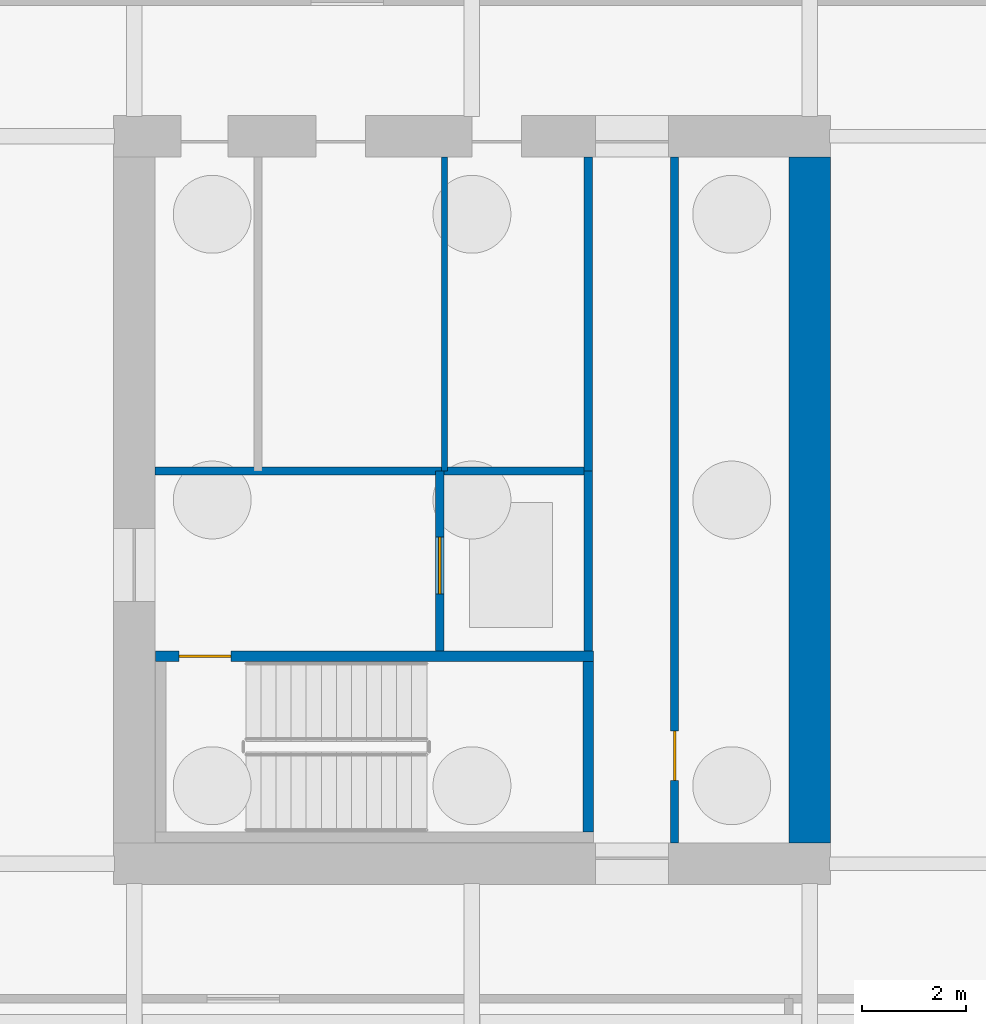
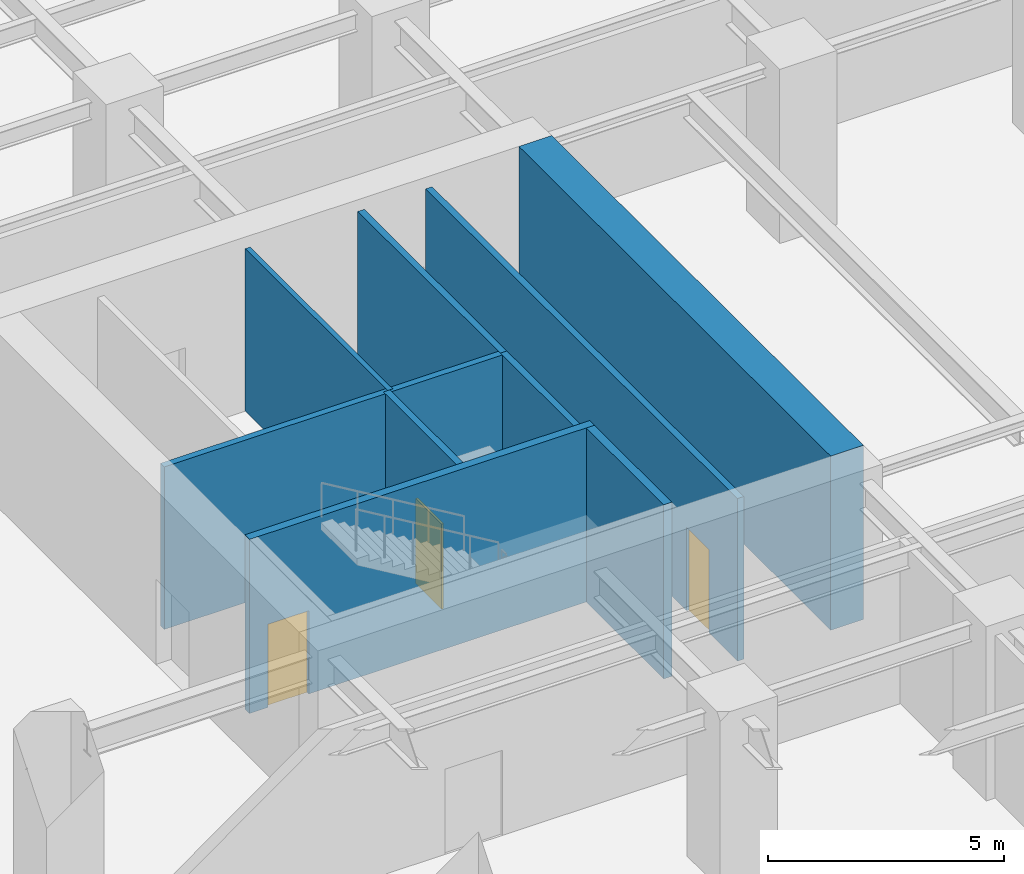
# One storey, part 4 of 11: 9 walls, 3 doors, 3 openings.
"""IFC4 building model written with IfcOpenShell, lengths in metres."""

from ifc_helpers import new_model, si_unit, direction, frame, frame_2d, origin, place, context, subcontext, project, spatial, rectangle, extrude, material, layer, layer_set, type_object, element, fill, save


model = new_model("IFC4")

# Units and contexts
model_context = context("Model", 3, precision=1e-05, world=origin(), true_north=direction((0.0, 1.0)))
body_context = subcontext(model_context, "Body", "Model", "MODEL_VIEW")
ifc_project = project(units=[si_unit("LENGTHUNIT", "METRE"), si_unit("AREAUNIT", "SQUARE_METRE"), si_unit("VOLUMEUNIT", "CUBIC_METRE"), si_unit("PLANEANGLEUNIT", "RADIAN"), si_unit("MASSUNIT", "GRAM", prefix="KILO")], contexts=[model_context])

# Site, building, storey
site_placement = place(None, origin())
site = spatial("IfcSite", under=ifc_project, at=site_placement, CompositionType="ELEMENT")
building_placement = place(site_placement, origin())
building = spatial("IfcBuilding", under=site, at=building_placement, Name="Putna Gate Headquarters", CompositionType="ELEMENT")
storey_placement = place(building_placement, frame((0.0, 0.0, -13.5)))
storey = spatial("IfcBuildingStorey", under=building, at=storey_placement, Name="B03", CompositionType="ELEMENT", Elevation=-13.5)

# Walls
ifc_material_1 = material(Name="Concrete C60/75", Category="concrete")
ifc_layer_1 = layer(ifc_material_1, 0.800048828125)
ifc_layer_set_1 = layer_set([ifc_layer_1], Name="Concrete C60/75")
wall_type_1 = type_object("IfcWallType", Name="WALL-CORE-800", PredefinedType="SHEAR", material=ifc_layer_set_1)
wall_1_placement = place(storey_placement, frame((26.0, 19.39990234375, 0.0), z_axis=(0.0, 0.0, 1.0), x_axis=(0.0, 1.0, 0.0)))
element("IfcWall", 1, at=wall_1_placement, inside=storey, type_object=wall_type_1, Name="B03 WC Split Core Shear Wall E", PredefinedType="SHEAR", context=body_context, shape_type="SweptSolid", body=[
    extrude(rectangle(XDim=13.2001953125, YDim=0.800048828125, at=frame_2d((6.60009765625, 0.0))), origin(), (0.0, 0.0, 1.0), 4.5),
])
ifc_material_2 = material(Name="Fire-rated gypsum board on metal stud")
ifc_layer_2 = layer(ifc_material_2, 0.1201171875)
ifc_layer_set_2 = layer_set([ifc_layer_2], Name="Fire-rated gypsum board on metal stud")
wall_type_2 = type_object("IfcWallType", Name="WALL-PART-120-RATED", PredefinedType="PARTITIONING", material=ifc_layer_set_2)
wall_2_placement = place(storey_placement, frame((18.969970703125, 26.56005859375, 0.0), z_axis=(0.0, 0.0, 1.0), x_axis=(0.0, 1.0, 0.0)))
element("IfcWall", 2, at=wall_2_placement, inside=storey, type_object=wall_type_2, Name="B03 Interior Wall CWINT-B03-WC-K0-DIV", PredefinedType="PARTITIONING", context=body_context, shape_type="SweptSolid", body=[
    extrude(rectangle(XDim=6.0400390625, YDim=0.1201171875, at=frame_2d((3.02001953125, 0.0))), origin(), (0.0, 0.0, 1.0), 4.199951171875),
])
ifc_material_3 = material(Name="Concrete C40/50", Category="concrete")
ifc_layer_3 = layer(ifc_material_3, 0.159912109375)
ifc_layer_set_3 = layer_set([ifc_layer_3], Name="Concrete C40/50")
wall_type_3 = type_object("IfcWallType", Name="WALL-SHAFT-160", PredefinedType="STANDARD", material=ifc_layer_set_3)
wall_3_placement = place(storey_placement, frame((21.739990234375, 23.090087890625, 0.0), z_axis=(0.0, 0.0, 1.0), x_axis=(0.0, 1.0, 0.0)))
element("IfcWall", 3, at=wall_3_placement, inside=storey, type_object=wall_type_3, Name="B03 Interior Wall CWINT-B03-WC-FFL-E", PredefinedType="STANDARD", context=body_context, shape_type="SweptSolid", body=[
    extrude(rectangle(XDim=3.469970703125, YDim=0.159912109375, at=frame_2d((1.73486328125, 0.0))), origin(), (0.0, 0.0, 1.0), 4.199951171875),
])

# Wall, opening, door
wall_4_placement = place(storey_placement, frame((18.8798828125, 23.090087890625, 0.0), z_axis=(0.0, 0.0, 1.0), x_axis=(0.0, 1.0, 0.0)))
wall_4 = element("IfcWall", 4, at=wall_4_placement, inside=storey, type_object=wall_type_3, Name="B03 Interior Wall CWINT-B03-WC-LF13-W", PredefinedType="STANDARD", context=body_context, shape_type="SweptSolid", body=[
    extrude(rectangle(XDim=3.469970703125, YDim=0.159912109375, at=frame_2d((1.73486328125, 0.0))), origin(), (0.0, 0.0, 1.0), 4.199951171875),
])
opening_1_placement = place(wall_4_placement, frame((1.10009765625, 0.0, 0.0)))
opening_1 = element("IfcOpeningElement", 5, at=opening_1_placement, cuts=wall_4, Name="Opening LD-1", PredefinedType="OPENING", context=body_context, shape_type="SweptSolid", body=[
    extrude(rectangle(XDim=1.10009765625, YDim=2.199951171875, at=frame_2d((0.550048828125, 1.10009765625))), frame((0.0, 0.08984375, 0.0), z_axis=(0.0, -1.0, 0.0), x_axis=(1.0, 0.0, 0.0)), (0.0, 0.0, 1.0), 0.179931640625),
])
ifc_material_4 = material(Name="Brushed bronze stainless lift landing door")
door_type_1 = type_object("IfcDoorType", Name="DOOR-LIFT-1100", OperationType="DOUBLE_DOOR_SLIDING", PredefinedType="DOOR", material=ifc_material_4)
door_1_placement = place(opening_1_placement, origin())
door_1 = element("IfcDoor", 6, at=door_1_placement, inside=storey, type_object=door_type_1, Name="B03 Lift Landing Door LD-13", OperationType="DOUBLE_DOOR_SLIDING", OverallHeight=2.199951171875, OverallWidth=1.10009765625, PredefinedType="DOOR", context=body_context, shape_type="SweptSolid", body=[
    extrude(rectangle(XDim=1.10009765625, YDim=2.199951171875, at=frame_2d((0.550048828125, 1.10009765625))), frame((0.0, 0.02490234375, 0.0), z_axis=(0.0, -1.0, 0.0), x_axis=(1.0, 0.0, 0.0)), (0.0, 0.0, 1.0), 0.050048828125),
])
fill(opening_1, door_1)

# Walls
wall_5_placement = place(storey_placement, frame((13.39990234375, 26.56005859375, 0.0), z_axis=(0.0, 0.0, 1.0), x_axis=(1.0, 0.0, 0.0)))
element("IfcWall", 7, at=wall_5_placement, inside=storey, type_object=wall_type_3, Name="B03 Interior Wall CWINT-B03-WC-FFL-N", PredefinedType="STANDARD", context=body_context, shape_type="SweptSolid", body=[
    extrude(rectangle(XDim=8.340087890625, YDim=0.159912109375, at=frame_2d((4.169921875, 0.0))), origin(), (0.0, 0.0, 1.0), 4.199951171875),
])
wall_6_placement = place(storey_placement, frame((21.739990234375, 26.56005859375, 0.0), z_axis=(0.0, 0.0, 1.0), x_axis=(0.0, 1.0, 0.0)))
element("IfcWall", 8, at=wall_6_placement, inside=storey, type_object=wall_type_3, Name="B03 Interior Wall CWINT-B03-WC-LOB-W", PredefinedType="STANDARD", context=body_context, shape_type="SweptSolid", body=[
    extrude(rectangle(XDim=6.0400390625, YDim=0.159912109375, at=frame_2d((3.02001953125, 0.0))), origin(), (0.0, 0.0, 1.0), 4.199951171875),
])

# Wall, opening, door
wall_7_placement = place(storey_placement, frame((23.39990234375, 19.39990234375, 0.0), z_axis=(0.0, 0.0, 1.0), x_axis=(0.0, 1.0, 0.0)))
wall_7 = element("IfcWall", 9, at=wall_7_placement, inside=storey, type_object=wall_type_3, Name="B03 Interior Wall CWINT-B03-WC-PL-WALL", PredefinedType="STANDARD", context=body_context, shape_type="SweptSolid", body=[
    extrude(rectangle(XDim=13.2001953125, YDim=0.159912109375, at=frame_2d((6.60009765625, 0.0))), origin(), (0.0, 0.0, 1.0), 4.199951171875),
])
opening_2_placement = place(wall_7_placement, frame((1.199951171875, 0.0, 0.0)))
opening_2 = element("IfcOpeningElement", 10, at=opening_2_placement, cuts=wall_7, Name="Opening IDS-95F", PredefinedType="OPENING", context=body_context, shape_type="SweptSolid", body=[
    extrude(rectangle(XDim=0.949951171875, YDim=2.14990234375, at=frame_2d((0.47509765625, 1.074951171875))), frame((0.0, 0.08984375, 0.0), z_axis=(0.0, -1.0, 0.0), x_axis=(1.0, 0.0, 0.0)), (0.0, 0.0, 1.0), 0.179931640625),
])
ifc_material_5 = material(Name="Steel-faced fire door", Category="steel")
door_type_2 = type_object("IfcDoorType", Name="DOOR-INT-950-EI90", OperationType="NOTDEFINED", PredefinedType="DOOR", material=ifc_material_5)
door_2_placement = place(opening_2_placement, origin())
door_2 = element("IfcDoor", 11, at=door_2_placement, inside=storey, type_object=door_type_2, Name="B03 Substructure Equipment West Door", OperationType="SINGLE_SWING_RIGHT", OverallHeight=2.14990234375, OverallWidth=0.949951171875, PredefinedType="DOOR", context=body_context, shape_type="SweptSolid", body=[
    extrude(rectangle(XDim=0.949951171875, YDim=2.14990234375, at=frame_2d((0.47509765625, 1.074951171875))), frame((0.0, 0.02490234375, 0.0), z_axis=(0.0, -1.0, 0.0), x_axis=(1.0, 0.0, 0.0)), (0.0, 0.0, 1.0), 0.050048828125),
])
fill(opening_2, door_2)

ifc_layer_4 = layer(ifc_material_3, 0.199951171875)
ifc_layer_set_4 = layer_set([ifc_layer_4], Name="Concrete C40/50")
wall_type_4 = type_object("IfcWallType", Name="WALL-SHAFT-RC200", PredefinedType="SHEAR", material=ifc_layer_set_4)
wall_8_placement = place(storey_placement, frame((13.409912109375, 22.989990234375, 0.0), z_axis=(0.0, 0.0, 1.0), x_axis=(1.0, 0.0, 0.0)))
wall_8 = element("IfcWall", 12, at=wall_8_placement, inside=storey, type_object=wall_type_4, Name="B03 Stair ST1 Structural Shaft Wall N", PredefinedType="SHEAR", context=body_context, shape_type="SweptSolid", body=[
    extrude(rectangle(XDim=8.43017578125, YDim=0.199951171875, at=frame_2d((4.215087890625, 0.0))), origin(), (0.0, 0.0, 1.0), 4.5),
])
opening_3_placement = place(wall_8_placement, frame((0.449951171875, 0.0, 0.0)))
opening_3 = element("IfcOpeningElement", 13, at=opening_3_placement, cuts=wall_8, Name="Opening FD-100", PredefinedType="OPENING", context=body_context, shape_type="SweptSolid", body=[
    extrude(rectangle(XDim=1.0, YDim=2.14990234375, at=frame_2d((0.5, 1.074951171875))), frame((0.0, 0.10986328125, 0.0), z_axis=(0.0, -1.0, 0.0), x_axis=(1.0, 0.0, 0.0)), (0.0, 0.0, 1.0), 0.219970703125),
])
ifc_material_6 = material(Name="Powder-coated steel fire door", Category="steel")
door_type_3 = type_object("IfcDoorType", Name="DOOR-FIRE-1000", OperationType="NOTDEFINED", PredefinedType="DOOR", material=ifc_material_6)
door_3_placement = place(opening_3_placement, origin())
door_3 = element("IfcDoor", 14, at=door_3_placement, inside=storey, type_object=door_type_3, Name="B03 Stair ST1 Fire Door", OperationType="SINGLE_SWING_LEFT", OverallHeight=2.14990234375, OverallWidth=1.0, PredefinedType="DOOR", context=body_context, shape_type="SweptSolid", body=[
    extrude(rectangle(XDim=1.0, YDim=2.14990234375, at=frame_2d((0.5, 1.074951171875))), frame((0.0, 0.02490234375, 0.0), z_axis=(0.0, -1.0, 0.0), x_axis=(1.0, 0.0, 0.0)), (0.0, 0.0, 1.0), 0.050048828125),
])
fill(opening_3, door_3)

# Wall
wall_9_placement = place(storey_placement, frame((21.739990234375, 19.610107421875, 0.0), z_axis=(0.0, 0.0, 1.0), x_axis=(0.0, 1.0, 0.0)))
element("IfcWall", 15, at=wall_9_placement, inside=storey, type_object=wall_type_4, Name="B03 Stair ST1 Structural Shaft Wall E", PredefinedType="SHEAR", context=body_context, shape_type="SweptSolid", body=[
    extrude(rectangle(XDim=3.27978515625, YDim=0.199951171875, at=frame_2d((1.639892578125, 0.0))), origin(), (0.0, 0.0, 1.0), 4.5),
])

save(model, "model.ifc")
